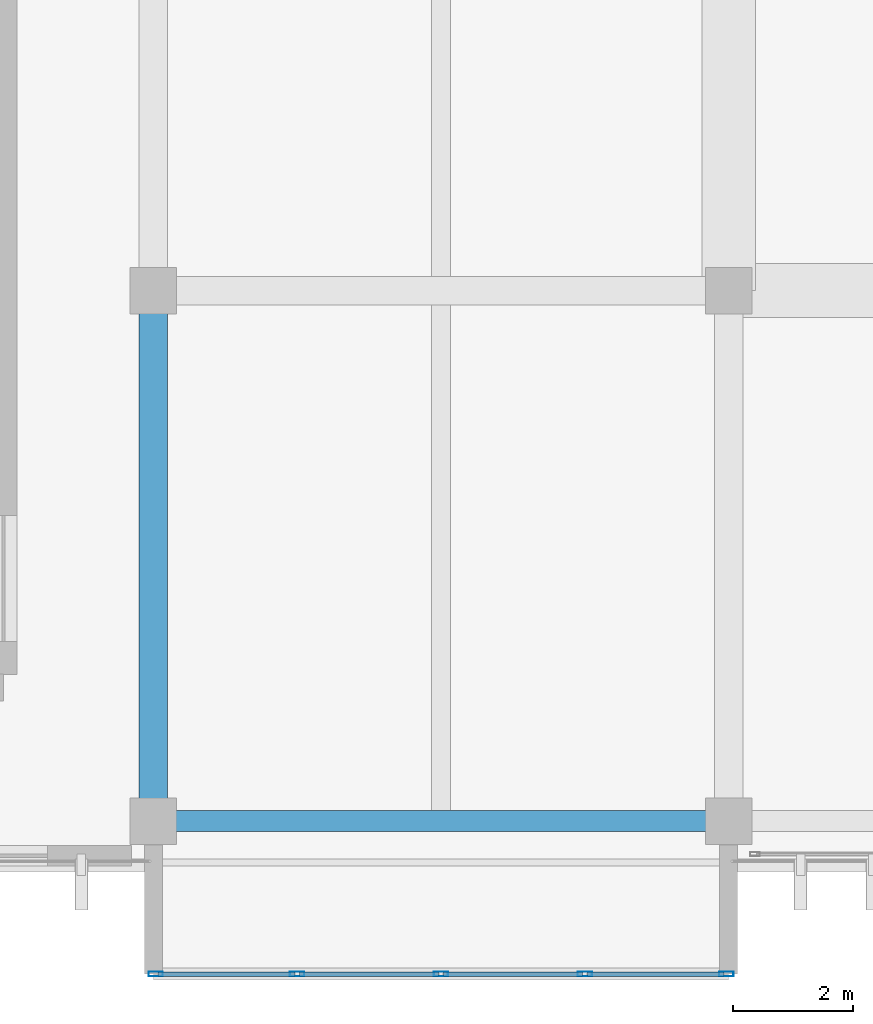
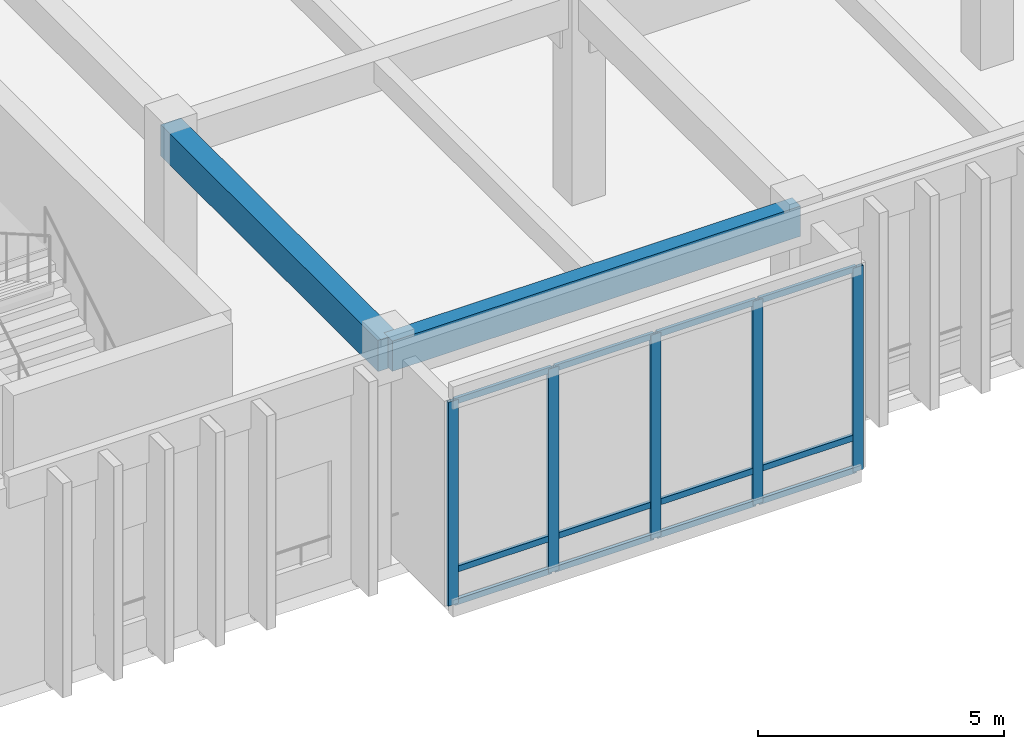
# One storey, part 12 of 134: 17 members, 2 beams, 1 element without a shape of its own.
"""IFC4 building model written with IfcOpenShell, lengths in metres."""

from ifc_helpers import new_model, si_unit, direction, frame, origin, origin_2d, place, context, subcontext, project, spatial, rectangle, hollow_rectangle, extrude, material, layer, layer_set, material_profile, profile_set, type_object, element, aggregate, save


model = new_model("IFC4")

# Units and contexts
model_context = context("Model", 3, precision=1e-05, world=origin(), true_north=direction((0.0, 1.0)))
body_context = subcontext(model_context, "Body", "Model", "MODEL_VIEW")
ifc_project = project(units=[si_unit("LENGTHUNIT", "METRE"), si_unit("AREAUNIT", "SQUARE_METRE"), si_unit("VOLUMEUNIT", "CUBIC_METRE"), si_unit("PLANEANGLEUNIT", "RADIAN"), si_unit("MASSUNIT", "GRAM", prefix="KILO")], contexts=[model_context])

# Site, building, storey
site_placement = place(None, origin())
site = spatial("IfcSite", under=ifc_project, at=site_placement, CompositionType="ELEMENT")
building_placement = place(site_placement, origin())
building = spatial("IfcBuilding", under=site, at=building_placement, Name="Nakhvara Creek Congress Hotel", CompositionType="ELEMENT")
storey_placement = place(building_placement, frame((0.0, 0.0, 6.0)))
storey = spatial("IfcBuildingStorey", under=building, at=storey_placement, Name="L01", CompositionType="ELEMENT", Elevation=6.0)

# Beams
ifc_material_1 = material(Name="Concrete C40/50", Category="concrete")
ifc_material_profile_1 = material_profile(ifc_material_1, rectangle(XDim=0.47998046875, YDim=0.780029296875, at=origin_2d()), Name="RC-BM 480x780", Category="LoadBearing")
ifc_profile_set_1 = profile_set([ifc_material_profile_1], Name="Concrete C40/50")
beam_type_1 = type_object("IfcBeamType", Name="BM-RC-480X780", PredefinedType="BEAM", material=ifc_profile_set_1)
beam_1_placement = place(storey_placement, frame((67.199951171875, 0.75, 4.7099609375), z_axis=(0.0, 1.0, 0.0), x_axis=(-1.0, 0.0, 0.0)))
element("IfcBeam", 1, at=beam_1_placement, inside=storey, type_object=beam_type_1, Name="Beam B13-L01-1136", PredefinedType="BEAM", context=body_context, shape_type="SweptSolid", body=[
    extrude(rectangle(XDim=0.47998046875, YDim=0.780029296875, at=origin_2d()), origin(), (0.0, 0.0, 1.0), 8.85009765625),
])
ifc_material_profile_2 = material_profile(ifc_material_1, rectangle(XDim=0.35009765625, YDim=0.75, at=origin_2d()), Name="RC-SPANDREL 350x750", Category="LoadBearing")
ifc_profile_set_2 = profile_set([ifc_material_profile_2], Name="Concrete C40/50")
beam_type_2 = type_object("IfcBeamType", Name="BM-SPN-350X750", PredefinedType="SPANDREL", material=ifc_profile_set_2)
beam_2_placement = place(storey_placement, frame((67.199951171875, 0.75, 4.72509765625), z_axis=(1.0, 0.0, 0.0), x_axis=(0.0, 1.0, 0.0)))
element("IfcBeam", 2, at=beam_2_placement, inside=storey, type_object=beam_type_2, Name="Beam SP1-L01-1137", PredefinedType="SPANDREL", context=body_context, shape_type="SweptSolid", body=[
    extrude(rectangle(XDim=0.35009765625, YDim=0.75, at=origin_2d()), origin(), (0.0, 0.0, 1.0), 9.60009765625),
])

# Curtain wall, members
ifc_material_2 = material(Name="Bronze-anodised aluminium AW-6063-T6 and double-silver low-E glass", Category="aluminium")
ifc_layer = layer(ifc_material_2, 0.219970703125)
ifc_layer_set = layer_set([ifc_layer], Name="Bronze-anodised aluminium AW-6063-T6 and double-silver low-E glass")
curtain_wall_type = type_object("IfcCurtainWallType", Name="CW-BOX-PROJ", PredefinedType="USERDEFINED", material=ifc_layer_set)
curtain_wall_placement = place(storey_placement, origin())
curtain_wall = element("IfcCurtainWall", 3, at=curtain_wall_placement, inside=storey, type_object=curtain_wall_type, Name="Curtain Wall CW073", ObjectType="UNITISED", PredefinedType="USERDEFINED")
ifc_material_3 = material(Name="Bronze-anodised aluminium AW-6063-T6", Category="aluminium")
ifc_material_profile_3 = material_profile(ifc_material_3, hollow_rectangle(XDim=0.080078125, YDim=0.239990234375, WallThickness=0.0048828125, at=origin_2d()), Name="ALU-MULL 80x240x5", Category="LoadBearing")
ifc_profile_set_3 = profile_set([ifc_material_profile_3], Name="Bronze-anodised aluminium AW-6063-T6")
member_type_1 = type_object("IfcMemberType", Name="CW-MULL-240", PredefinedType="MULLION", material=ifc_profile_set_3)
member_1_placement = place(storey_placement, frame((76.760009765625, -1.800048828125, 0.0), z_axis=(0.0, 0.0, 1.0), x_axis=(0.0, -1.0, 0.0)))
member_1 = element("IfcMember", 4, at=member_1_placement, type_object=member_type_1, Name="CW073 mullion 1", PredefinedType="MULLION", context=body_context, shape_type="SweptSolid", body=[
    extrude(hollow_rectangle(XDim=0.080078125, YDim=0.239990234375, WallThickness=0.0048828125, at=origin_2d()), origin(), (0.0, 0.0, 1.0), 5.070068359375),
])
member_2_placement = place(storey_placement, frame((74.39990234375, -1.800048828125, 0.0), z_axis=(0.0, 0.0, 1.0), x_axis=(0.0, -1.0, 0.0)))
member_2 = element("IfcMember", 5, at=member_2_placement, type_object=member_type_1, Name="CW073 mullion 2", PredefinedType="MULLION", context=body_context, shape_type="SweptSolid", body=[
    extrude(hollow_rectangle(XDim=0.080078125, YDim=0.239990234375, WallThickness=0.0048828125, at=origin_2d()), origin(), (0.0, 0.0, 1.0), 5.070068359375),
])
member_3_placement = place(storey_placement, frame((72.0, -1.800048828125, 0.0), z_axis=(0.0, 0.0, 1.0), x_axis=(0.0, -1.0, 0.0)))
member_3 = element("IfcMember", 6, at=member_3_placement, type_object=member_type_1, Name="CW073 mullion 3", PredefinedType="MULLION", context=body_context, shape_type="SweptSolid", body=[
    extrude(hollow_rectangle(XDim=0.080078125, YDim=0.239990234375, WallThickness=0.0048828125, at=origin_2d()), origin(), (0.0, 0.0, 1.0), 5.070068359375),
])
member_4_placement = place(storey_placement, frame((69.60009765625, -1.800048828125, 0.0), z_axis=(0.0, 0.0, 1.0), x_axis=(0.0, -1.0, 0.0)))
member_4 = element("IfcMember", 7, at=member_4_placement, type_object=member_type_1, Name="CW073 mullion 4", PredefinedType="MULLION", context=body_context, shape_type="SweptSolid", body=[
    extrude(hollow_rectangle(XDim=0.080078125, YDim=0.239990234375, WallThickness=0.0048828125, at=origin_2d()), origin(), (0.0, 0.0, 1.0), 5.070068359375),
])
member_5_placement = place(storey_placement, frame((67.239990234375, -1.800048828125, 0.0), z_axis=(0.0, 0.0, 1.0), x_axis=(0.0, -1.0, 0.0)))
member_5 = element("IfcMember", 8, at=member_5_placement, type_object=member_type_1, Name="CW073 mullion 5", PredefinedType="MULLION", context=body_context, shape_type="SweptSolid", body=[
    extrude(hollow_rectangle(XDim=0.080078125, YDim=0.239990234375, WallThickness=0.0048828125, at=origin_2d()), origin(), (0.0, 0.0, 1.0), 5.070068359375),
])
ifc_material_profile_4 = material_profile(ifc_material_3, hollow_rectangle(XDim=0.074951171875, YDim=0.14990234375, WallThickness=0.00390625, at=origin_2d()), Name="ALU-TRAN 75x150x4", Category="LoadBearing")
ifc_profile_set_4 = profile_set([ifc_material_profile_4], Name="Bronze-anodised aluminium AW-6063-T6")
member_type_2 = type_object("IfcMemberType", Name="CW-TRAN-150", PredefinedType="USERDEFINED", material=ifc_profile_set_4)
member_6_placement = place(storey_placement, frame((76.719970703125, -1.800048828125, 0.03759765625), z_axis=(-1.0, 0.0, 0.0), x_axis=(0.0, -1.0, 0.0)))
member_6 = element("IfcMember", 9, at=member_6_placement, type_object=member_type_2, Name="CW073 transom 1.1", ObjectType="TRANSOM", PredefinedType="USERDEFINED", context=body_context, shape_type="SweptSolid", body=[
    extrude(hollow_rectangle(XDim=0.074951171875, YDim=0.14990234375, WallThickness=0.00390625, at=origin_2d()), origin(), (0.0, 0.0, 1.0), 2.280029296875),
])
member_7_placement = place(storey_placement, frame((76.719970703125, -1.800048828125, 0.85009765625), z_axis=(-1.0, 0.0, 0.0), x_axis=(0.0, -1.0, 0.0)))
member_7 = element("IfcMember", 10, at=member_7_placement, type_object=member_type_2, Name="CW073 transom 1.2", ObjectType="TRANSOM", PredefinedType="USERDEFINED", context=body_context, shape_type="SweptSolid", body=[
    extrude(hollow_rectangle(XDim=0.074951171875, YDim=0.14990234375, WallThickness=0.00390625, at=origin_2d()), origin(), (0.0, 0.0, 1.0), 2.280029296875),
])
member_8_placement = place(storey_placement, frame((76.719970703125, -1.800048828125, 5.032470703125), z_axis=(-1.0, 0.0, 0.0), x_axis=(0.0, -1.0, 0.0)))
member_8 = element("IfcMember", 11, at=member_8_placement, type_object=member_type_2, Name="CW073 transom 1.3", ObjectType="TRANSOM", PredefinedType="USERDEFINED", context=body_context, shape_type="SweptSolid", body=[
    extrude(hollow_rectangle(XDim=0.074951171875, YDim=0.14990234375, WallThickness=0.00390625, at=origin_2d()), origin(), (0.0, 0.0, 1.0), 2.280029296875),
])
member_9_placement = place(storey_placement, frame((74.360107421875, -1.800048828125, 0.03759765625), z_axis=(-1.0, 0.0, 0.0), x_axis=(0.0, -1.0, 0.0)))
member_9 = element("IfcMember", 12, at=member_9_placement, type_object=member_type_2, Name="CW073 transom 2.1", ObjectType="TRANSOM", PredefinedType="USERDEFINED", context=body_context, shape_type="SweptSolid", body=[
    extrude(hollow_rectangle(XDim=0.074951171875, YDim=0.14990234375, WallThickness=0.00390625, at=origin_2d()), origin(), (0.0, 0.0, 1.0), 2.320068359375),
])
member_10_placement = place(storey_placement, frame((74.360107421875, -1.800048828125, 0.85009765625), z_axis=(-1.0, 0.0, 0.0), x_axis=(0.0, -1.0, 0.0)))
member_10 = element("IfcMember", 13, at=member_10_placement, type_object=member_type_2, Name="CW073 transom 2.2", ObjectType="TRANSOM", PredefinedType="USERDEFINED", context=body_context, shape_type="SweptSolid", body=[
    extrude(hollow_rectangle(XDim=0.074951171875, YDim=0.14990234375, WallThickness=0.00390625, at=origin_2d()), origin(), (0.0, 0.0, 1.0), 2.320068359375),
])
member_11_placement = place(storey_placement, frame((74.360107421875, -1.800048828125, 5.032470703125), z_axis=(-1.0, 0.0, 0.0), x_axis=(0.0, -1.0, 0.0)))
member_11 = element("IfcMember", 14, at=member_11_placement, type_object=member_type_2, Name="CW073 transom 2.3", ObjectType="TRANSOM", PredefinedType="USERDEFINED", context=body_context, shape_type="SweptSolid", body=[
    extrude(hollow_rectangle(XDim=0.074951171875, YDim=0.14990234375, WallThickness=0.00390625, at=origin_2d()), origin(), (0.0, 0.0, 1.0), 2.320068359375),
])
member_12_placement = place(storey_placement, frame((71.9599609375, -1.800048828125, 0.03759765625), z_axis=(-1.0, 0.0, 0.0), x_axis=(0.0, -1.0, 0.0)))
member_12 = element("IfcMember", 15, at=member_12_placement, type_object=member_type_2, Name="CW073 transom 3.1", ObjectType="TRANSOM", PredefinedType="USERDEFINED", context=body_context, shape_type="SweptSolid", body=[
    extrude(hollow_rectangle(XDim=0.074951171875, YDim=0.14990234375, WallThickness=0.00390625, at=origin_2d()), origin(), (0.0, 0.0, 1.0), 2.320068359375),
])
member_13_placement = place(storey_placement, frame((71.9599609375, -1.800048828125, 0.85009765625), z_axis=(-1.0, 0.0, 0.0), x_axis=(0.0, -1.0, 0.0)))
member_13 = element("IfcMember", 16, at=member_13_placement, type_object=member_type_2, Name="CW073 transom 3.2", ObjectType="TRANSOM", PredefinedType="USERDEFINED", context=body_context, shape_type="SweptSolid", body=[
    extrude(hollow_rectangle(XDim=0.074951171875, YDim=0.14990234375, WallThickness=0.00390625, at=origin_2d()), origin(), (0.0, 0.0, 1.0), 2.320068359375),
])
member_14_placement = place(storey_placement, frame((71.9599609375, -1.800048828125, 5.032470703125), z_axis=(-1.0, 0.0, 0.0), x_axis=(0.0, -1.0, 0.0)))
member_14 = element("IfcMember", 17, at=member_14_placement, type_object=member_type_2, Name="CW073 transom 3.3", ObjectType="TRANSOM", PredefinedType="USERDEFINED", context=body_context, shape_type="SweptSolid", body=[
    extrude(hollow_rectangle(XDim=0.074951171875, YDim=0.14990234375, WallThickness=0.00390625, at=origin_2d()), origin(), (0.0, 0.0, 1.0), 2.320068359375),
])
member_15_placement = place(storey_placement, frame((69.56005859375, -1.800048828125, 0.03759765625), z_axis=(-1.0, 0.0, 0.0), x_axis=(0.0, -1.0, 0.0)))
member_15 = element("IfcMember", 18, at=member_15_placement, type_object=member_type_2, Name="CW073 transom 4.1", ObjectType="TRANSOM", PredefinedType="USERDEFINED", context=body_context, shape_type="SweptSolid", body=[
    extrude(hollow_rectangle(XDim=0.074951171875, YDim=0.14990234375, WallThickness=0.00390625, at=origin_2d()), origin(), (0.0, 0.0, 1.0), 2.280029296875),
])
member_16_placement = place(storey_placement, frame((69.56005859375, -1.800048828125, 0.85009765625), z_axis=(-1.0, 0.0, 0.0), x_axis=(0.0, -1.0, 0.0)))
member_16 = element("IfcMember", 19, at=member_16_placement, type_object=member_type_2, Name="CW073 transom 4.2", ObjectType="TRANSOM", PredefinedType="USERDEFINED", context=body_context, shape_type="SweptSolid", body=[
    extrude(hollow_rectangle(XDim=0.074951171875, YDim=0.14990234375, WallThickness=0.00390625, at=origin_2d()), origin(), (0.0, 0.0, 1.0), 2.280029296875),
])
member_17_placement = place(storey_placement, frame((69.56005859375, -1.800048828125, 5.032470703125), z_axis=(-1.0, 0.0, 0.0), x_axis=(0.0, -1.0, 0.0)))
member_17 = element("IfcMember", 20, at=member_17_placement, type_object=member_type_2, Name="CW073 transom 4.3", ObjectType="TRANSOM", PredefinedType="USERDEFINED", context=body_context, shape_type="SweptSolid", body=[
    extrude(hollow_rectangle(XDim=0.074951171875, YDim=0.14990234375, WallThickness=0.00390625, at=origin_2d()), origin(), (0.0, 0.0, 1.0), 2.280029296875),
])
aggregate(curtain_wall, [member_1, member_2, member_3, member_4, member_5, member_6, member_7, member_8, member_9, member_10, member_11, member_12, member_13, member_14, member_15, member_16, member_17])

save(model, "model.ifc")
